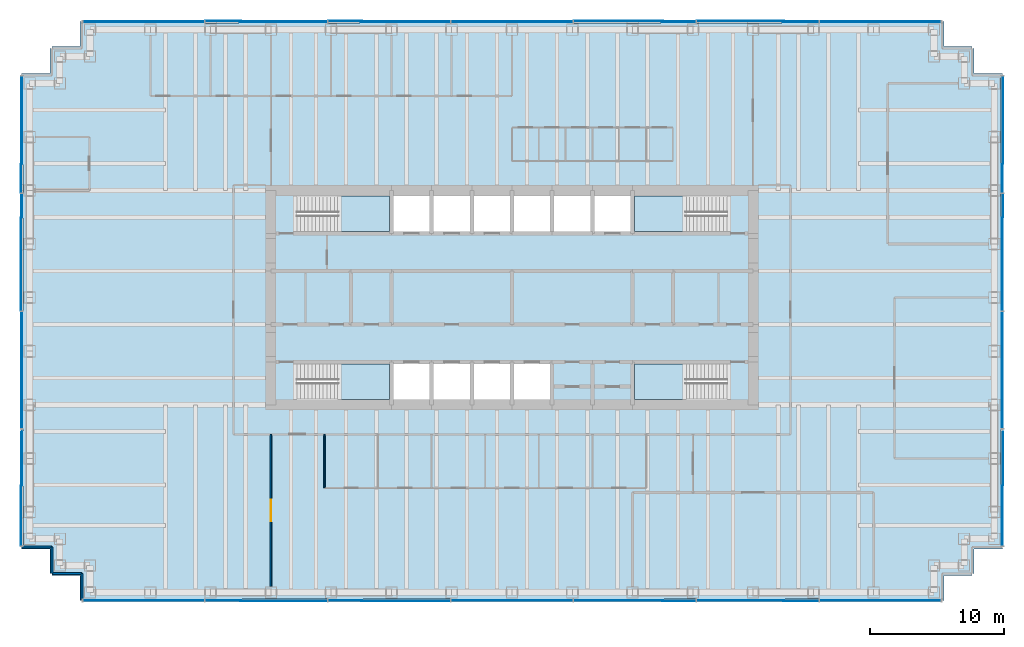
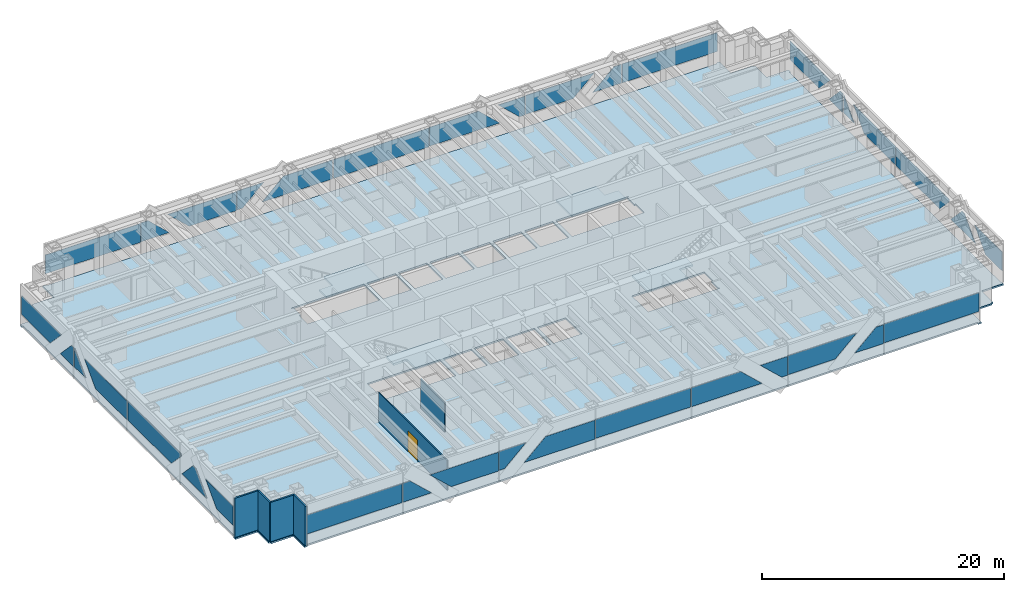
# One storey, part 7 of 12: 36 plates, 6 walls, 5 slabs, 1 door, 1 opening, 8 elements without a shape of their own.
"""IFC4 building model written with IfcOpenShell, lengths in metres."""

from ifc_helpers import new_model, si_unit, direction, frame, frame_2d, origin, origin_2d, place, context, subcontext, project, spatial, polyline, rectangle, outline, extrude, material, layer, layer_set, type_object, element, fill, aggregate, save


model = new_model("IFC4")

# Units and contexts
model_context = context("Model", 3, precision=1e-05, world=origin(), true_north=direction((0.0, 1.0)))
body_context = subcontext(model_context, "Body", "Model", "MODEL_VIEW")
ifc_project = project(units=[si_unit("LENGTHUNIT", "METRE"), si_unit("AREAUNIT", "SQUARE_METRE"), si_unit("VOLUMEUNIT", "CUBIC_METRE"), si_unit("PLANEANGLEUNIT", "RADIAN"), si_unit("MASSUNIT", "GRAM", prefix="KILO")], contexts=[model_context])

# Site, building, storey
site_placement = place(None, origin())
site = spatial("IfcSite", under=ifc_project, at=site_placement, CompositionType="ELEMENT")
building_placement = place(site_placement, origin())
building = spatial("IfcBuilding", under=site, at=building_placement, Name="Rheinbord Bourse Tower", CompositionType="ELEMENT")
storey_placement = place(building_placement, frame((0.0, 0.0, 261.39990234375)))
storey = spatial("IfcBuildingStorey", under=building, at=storey_placement, Name="L59", CompositionType="ELEMENT", Elevation=261.39990234375)

# Slab
ifc_material_1 = material(Name="Concrete C30/37", Category="concrete")
ifc_layer_1 = layer(ifc_material_1, 0.159912109375)
ifc_layer_set_1 = layer_set([ifc_layer_1], Name="COMPOSITE FLOOR SLAB 160")
slab_type_1 = type_object("IfcSlabType", Name="COMPOSITE FLOOR SLAB 160", PredefinedType="FLOOR", material=ifc_layer_set_1)
slab_1_placement = place(storey_placement, frame((0.0, 0.0, -0.159912109375)))
element("IfcSlab", 1, at=slab_1_placement, inside=storey, type_object=slab_type_1, Name="Floor slab L59", PredefinedType="FLOOR", context=body_context, shape_type="SweptSolid", body=[
    extrude(outline(polyline([(1.64990234375, 3.39990234375), (1.5, 3.39990234375), (1.5, 5.25), (-0.60009765625, 5.25), (-0.60009765625, 5.550048828125), (-0.5, 5.550048828125), (-0.5, 40.449951171875), (-0.60009765625, 40.449951171875), (-0.60009765625, 40.75), (1.5, 40.75), (1.5, 42.60009765625), (1.64990234375, 42.60009765625), (1.64990234375, 42.75), (3.75, 42.75), (3.75, 44.60009765625), (4.050048828125, 44.60009765625), (4.050048828125, 44.5), (67.949951171875, 44.5), (67.949951171875, 44.60009765625), (68.25, 44.60009765625), (68.25, 42.75), (70.35009765625, 42.75), (70.35009765625, 42.60009765625), (70.5, 42.60009765625), (70.5, 40.75), (72.60009765625, 40.75), (72.60009765625, 40.449951171875), (72.5, 40.449951171875), (72.5, 5.550048828125), (72.60009765625, 5.550048828125), (72.60009765625, 5.25), (70.5, 5.25), (70.5, 3.39990234375), (70.35009765625, 3.39990234375), (70.35009765625, 3.25), (68.25, 3.25), (68.25, 1.39990234375), (67.949951171875, 1.39990234375), (67.949951171875, 1.5), (4.050048828125, 1.5), (4.050048828125, 1.39990234375), (3.75, 1.39990234375), (3.75, 3.25), (1.64990234375, 3.25), (1.64990234375, 3.39990234375)]), holes=[polyline([(19.949951171875, 19.050048828125), (26.85009765625, 19.050048828125), (26.85009765625, 16.39990234375), (19.949951171875, 16.39990234375), (19.949951171875, 16.449951171875), (20.10009765625, 16.449951171875), (20.10009765625, 17.64990234375), (19.949951171875, 17.64990234375), (19.949951171875, 19.050048828125)]), polyline([(19.949951171875, 31.60009765625), (26.85009765625, 31.60009765625), (26.85009765625, 28.949951171875), (19.949951171875, 28.949951171875), (19.949951171875, 30.35009765625), (20.10009765625, 30.35009765625), (20.10009765625, 31.550048828125), (19.949951171875, 31.550048828125), (19.949951171875, 31.60009765625)]), polyline([(52.050048828125, 16.39990234375), (45.14990234375, 16.39990234375), (45.14990234375, 19.050048828125), (52.050048828125, 19.050048828125), (52.050048828125, 17.64990234375), (51.89990234375, 17.64990234375), (51.89990234375, 16.449951171875), (52.050048828125, 16.449951171875), (52.050048828125, 16.39990234375)]), polyline([(52.050048828125, 28.949951171875), (45.14990234375, 28.949951171875), (45.14990234375, 31.60009765625), (52.050048828125, 31.60009765625), (52.050048828125, 31.550048828125), (51.89990234375, 31.550048828125), (51.89990234375, 30.35009765625), (52.050048828125, 30.35009765625), (52.050048828125, 28.949951171875)]), polyline([(27.14990234375, 16.39990234375), (27.14990234375, 19.050048828125), (29.85009765625, 19.050048828125), (29.85009765625, 16.39990234375), (27.14990234375, 16.39990234375)]), polyline([(27.14990234375, 28.949951171875), (27.14990234375, 31.60009765625), (29.85009765625, 31.60009765625), (29.85009765625, 28.949951171875), (27.14990234375, 28.949951171875)]), polyline([(30.14990234375, 16.39990234375), (30.14990234375, 19.050048828125), (32.85009765625, 19.050048828125), (32.85009765625, 16.39990234375), (30.14990234375, 16.39990234375)]), polyline([(30.14990234375, 28.949951171875), (30.14990234375, 31.60009765625), (32.85009765625, 31.60009765625), (32.85009765625, 28.949951171875), (30.14990234375, 28.949951171875)]), polyline([(33.14990234375, 16.39990234375), (33.14990234375, 19.050048828125), (35.85009765625, 19.050048828125), (35.85009765625, 16.39990234375), (33.14990234375, 16.39990234375)]), polyline([(33.14990234375, 28.949951171875), (33.14990234375, 31.60009765625), (35.85009765625, 31.60009765625), (35.85009765625, 28.949951171875), (33.14990234375, 28.949951171875)]), polyline([(36.14990234375, 16.39990234375), (36.14990234375, 19.050048828125), (38.85009765625, 19.050048828125), (38.85009765625, 16.39990234375), (36.14990234375, 16.39990234375)]), polyline([(36.14990234375, 28.949951171875), (36.14990234375, 31.60009765625), (38.85009765625, 31.60009765625), (38.85009765625, 28.949951171875), (36.14990234375, 28.949951171875)]), polyline([(39.14990234375, 28.949951171875), (39.14990234375, 31.60009765625), (41.85009765625, 31.60009765625), (41.85009765625, 28.949951171875), (39.14990234375, 28.949951171875)]), polyline([(42.14990234375, 28.949951171875), (42.14990234375, 31.60009765625), (44.85009765625, 31.60009765625), (44.85009765625, 28.949951171875), (42.14990234375, 28.949951171875)])]), origin(), (0.0, 0.0, 1.0), 0.159912109375),
])

# Curtain wall, plates
ifc_material_2 = material(Name="Dark glass and black aluminium", Category="aluminium")
curtain_wall_type = type_object("IfcCurtainWallType", Name="CW5 DARK GLASS CURTAIN WALL", PredefinedType="USERDEFINED", material=ifc_material_2)
curtain_wall_1_placement = place(storey_placement, origin())
curtain_wall_1 = element("IfcCurtainWall", 2, at=curtain_wall_1_placement, inside=storey, type_object=curtain_wall_type, Name="Curtain wall CW5 S L59", ObjectType="UNITISED CURTAIN WALL", PredefinedType="USERDEFINED")
ifc_material_3 = material(Name="Dark tinted triple insulating glass", Category="glass")
ifc_layer_2 = layer(ifc_material_3, 0.050048828125)
ifc_layer_set_2 = layer_set([ifc_layer_2], Name="CW5 DARK GLASS PANEL")
plate_type = type_object("IfcPlateType", Name="CW5 DARK GLASS PANEL", PredefinedType="CURTAIN_PANEL", material=ifc_layer_set_2)
plate_1_placement = place(storey_placement, frame((8.505615234375, 1.39990234375, 1.150146484375), z_axis=(0.0, 0.0, 1.0), x_axis=(1.0, 0.0, 0.0)))
plate_1 = element("IfcPlate", 3, at=plate_1_placement, type_object=plate_type, Name="CW5 panel 1.1", PredefinedType="CURTAIN_PANEL", context=body_context, shape_type="SweptSolid", body=[
    extrude(rectangle(XDim=9.051513671875, YDim=0.050048828125, at=origin_2d()), origin(), (0.0, 0.0, 1.0), 1.89990234375),
])
plate_2_placement = place(storey_placement, frame((36.0, 1.39990234375, 1.150146484375), z_axis=(0.0, 0.0, 1.0), x_axis=(1.0, 0.0, 0.0)))
plate_2 = element("IfcPlate", 4, at=plate_2_placement, type_object=plate_type, Name="CW5 panel 4.1", PredefinedType="CURTAIN_PANEL", context=body_context, shape_type="SweptSolid", body=[
    extrude(rectangle(XDim=9.09130859375, YDim=0.050048828125, at=origin_2d()), origin(), (0.0, 0.0, 1.0), 1.89990234375),
])
plate_3_placement = place(storey_placement, frame((63.494384765625, 1.39990234375, 1.150146484375), z_axis=(0.0, 0.0, 1.0), x_axis=(1.0, 0.0, 0.0)))
plate_3 = element("IfcPlate", 5, at=plate_3_placement, type_object=plate_type, Name="CW5 panel 7.1", PredefinedType="CURTAIN_PANEL", context=body_context, shape_type="SweptSolid", body=[
    extrude(rectangle(XDim=9.051513671875, YDim=0.050048828125, at=origin_2d()), origin(), (0.0, 0.0, 1.0), 1.89990234375),
])
plate_4_placement = place(storey_placement, frame((13.111083984375, 1.375, 1.150146484375), z_axis=(0.0, 1.0, 0.0), x_axis=(0.0, 0.0, 1.0)))
plate_4 = element("IfcPlate", 6, at=plate_4_placement, type_object=plate_type, Name="CW5 glass facet 1", PredefinedType="CURTAIN_PANEL", context=body_context, shape_type="SweptSolid", body=[
    extrude(outline(polyline([(0.0, 0.0), (1.89990234375, 0.0), (1.89990234375, 0.698974609375), (0.0, 2.73388671875), (0.0, 0.0)])), origin(), (0.0, 0.0, 1.0), 0.050048828125),
])
plate_5_placement = place(storey_placement, frame((22.202880859375, 1.31982421875, 3.050048828125), z_axis=(0.0, 1.0, 0.0), x_axis=(0.0, 0.0, -1.0)))
plate_5 = element("IfcPlate", 7, at=plate_5_placement, type_object=plate_type, Name="CW5 glass facet 2", PredefinedType="CURTAIN_PANEL", context=body_context, shape_type="SweptSolid", body=[
    extrude(outline(polyline([(0.0, 0.0), (1.89990234375, 0.0), (1.89990234375, 4.512939453125), (0.0, 6.5478515625), (0.0, 0.0)])), origin(), (0.0, 0.0, 1.0), 0.050048828125),
])
plate_6_placement = place(storey_placement, frame((22.282958984375, 1.375, 1.150146484375), z_axis=(0.0, 1.0, 0.0), x_axis=(0.0, 0.0, 1.0)))
plate_6 = element("IfcPlate", 8, at=plate_6_placement, type_object=plate_type, Name="CW5 glass facet 1", PredefinedType="CURTAIN_PANEL", context=body_context, shape_type="SweptSolid", body=[
    extrude(outline(polyline([(0.0, 0.0), (1.89990234375, 0.0), (1.89990234375, 2.56201171875), (0.0, 0.527099609375), (0.0, 0.0)])), origin(), (0.0, 0.0, 1.0), 0.050048828125),
])
plate_7_placement = place(storey_placement, frame((31.3740234375, 1.31982421875, 3.050048828125), z_axis=(0.0, 1.0, 0.0), x_axis=(0.0, 0.0, -1.0)))
plate_7 = element("IfcPlate", 9, at=plate_7_placement, type_object=plate_type, Name="CW5 glass facet 2", PredefinedType="CURTAIN_PANEL", context=body_context, shape_type="SweptSolid", body=[
    extrude(outline(polyline([(0.0, 0.0), (1.89990234375, 0.0), (1.89990234375, 6.718994140625), (0.0, 4.68408203125), (0.0, 0.0)])), origin(), (0.0, 0.0, 1.0), 0.050048828125),
])
plate_8_placement = place(storey_placement, frame((40.6259765625, 1.375, 1.150146484375), z_axis=(0.0, 1.0, 0.0), x_axis=(0.0, 0.0, 1.0)))
plate_8 = element("IfcPlate", 10, at=plate_8_placement, type_object=plate_type, Name="CW5 glass facet 1", PredefinedType="CURTAIN_PANEL", context=body_context, shape_type="SweptSolid", body=[
    extrude(outline(polyline([(0.0, 0.0), (1.89990234375, 0.0), (1.89990234375, 4.68408203125), (0.0, 6.718994140625), (0.0, 0.0)])), origin(), (0.0, 0.0, 1.0), 0.050048828125),
])
plate_9_placement = place(storey_placement, frame((49.717041015625, 1.31982421875, 3.050048828125), z_axis=(0.0, 1.0, 0.0), x_axis=(0.0, 0.0, -1.0)))
plate_9 = element("IfcPlate", 11, at=plate_9_placement, type_object=plate_type, Name="CW5 glass facet 2", PredefinedType="CURTAIN_PANEL", context=body_context, shape_type="SweptSolid", body=[
    extrude(outline(polyline([(0.0, 0.0), (1.89990234375, 0.0), (1.89990234375, 0.527099609375), (0.0, 2.56201171875), (0.0, 0.0)])), origin(), (0.0, 0.0, 1.0), 0.050048828125),
])
plate_10_placement = place(storey_placement, frame((49.797119140625, 1.375, 1.150146484375), z_axis=(0.0, 1.0, 0.0), x_axis=(0.0, 0.0, 1.0)))
plate_10 = element("IfcPlate", 12, at=plate_10_placement, type_object=plate_type, Name="CW5 glass facet 1", PredefinedType="CURTAIN_PANEL", context=body_context, shape_type="SweptSolid", body=[
    extrude(outline(polyline([(0.0, 0.0), (1.89990234375, 0.0), (1.89990234375, 6.5478515625), (0.0, 4.512939453125), (0.0, 0.0)])), origin(), (0.0, 0.0, 1.0), 0.050048828125),
])
plate_11_placement = place(storey_placement, frame((58.888916015625, 1.31982421875, 3.050048828125), z_axis=(0.0, 1.0, 0.0), x_axis=(0.0, 0.0, -1.0)))
plate_11 = element("IfcPlate", 13, at=plate_11_placement, type_object=plate_type, Name="CW5 glass facet 2", PredefinedType="CURTAIN_PANEL", context=body_context, shape_type="SweptSolid", body=[
    extrude(outline(polyline([(0.0, 0.0), (1.89990234375, 0.0), (1.89990234375, 2.73388671875), (0.0, 0.698974609375), (0.0, 0.0)])), origin(), (0.0, 0.0, 1.0), 0.050048828125),
])
aggregate(curtain_wall_1, [plate_1, plate_2, plate_3, plate_4, plate_5, plate_6, plate_7, plate_8, plate_9, plate_10, plate_11])

curtain_wall_2_placement = place(storey_placement, origin())
curtain_wall_2 = element("IfcCurtainWall", 14, at=curtain_wall_2_placement, inside=storey, type_object=curtain_wall_type, Name="Curtain wall CW5 E L59", ObjectType="UNITISED CURTAIN WALL", PredefinedType="USERDEFINED")
plate_12_placement = place(storey_placement, frame((72.625, 5.47998046875, 1.150146484375), z_axis=(-1.0, 0.0, 0.0), x_axis=(0.0, 0.0, 1.0)))
plate_12 = element("IfcPlate", 15, at=plate_12_placement, type_object=plate_type, Name="CW5 glass facet 1", PredefinedType="CURTAIN_PANEL", context=body_context, shape_type="SweptSolid", body=[
    extrude(outline(polyline([(0.0, 0.0), (1.89990234375, 0.0), (1.89990234375, 4.554931640625), (0.0, 2.74609375), (0.0, 0.0)])), origin(), (0.0, 0.0, 1.0), 0.050048828125),
])
plate_13_placement = place(storey_placement, frame((72.68017578125, 9.965087890625, 1.150146484375), z_axis=(-1.0, 0.0, 0.0), x_axis=(0.0, 0.689536643289, 0.724250797419)))
plate_13 = element("IfcPlate", 16, at=plate_13_placement, type_object=plate_type, Name="CW5 glass facet 2", PredefinedType="CURTAIN_PANEL", context=body_context, shape_type="SweptSolid", body=[
    extrude(outline(polyline([(0.0, 0.0), (2.623291015625, 0.0), (2.93505859375, 0.327392578125), (2.806396484375, 2.947509765625), (0.0, 0.0)])), origin(), (0.0, 0.0, 1.0), 0.050048828125),
])
plate_14_placement = place(storey_placement, frame((72.625, 14.239990234375, 3.050048828125), z_axis=(-1.0, 0.0, 0.0), x_axis=(0.0, 1.0, 0.0)))
plate_14 = element("IfcPlate", 17, at=plate_14_placement, type_object=plate_type, Name="CW5 glass facet 1", PredefinedType="CURTAIN_PANEL", context=body_context, shape_type="SweptSolid", body=[
    extrude(outline(polyline([(0.0, 0.0), (8.719970703125, 0.0), (8.719970703125, 1.89990234375), (1.533935546875, 1.89990234375), (0.0, 0.2890625), (0.0, 0.0)])), origin(), (0.0, 0.0, 1.0), 0.050048828125),
])
plate_15_placement = place(storey_placement, frame((72.625, 23.0400390625, 1.150146484375), z_axis=(-1.0, 0.0, 0.0), x_axis=(0.0, 0.0, 1.0)))
plate_15 = element("IfcPlate", 18, at=plate_15_placement, type_object=plate_type, Name="CW5 glass facet 1", PredefinedType="CURTAIN_PANEL", context=body_context, shape_type="SweptSolid", body=[
    extrude(outline(polyline([(0.0, 0.0), (1.89990234375, 0.0), (1.89990234375, 6.994873046875), (0.0, 5.18603515625), (0.0, 0.0)])), origin(), (0.0, 0.0, 1.0), 0.050048828125),
])
plate_16_placement = place(storey_placement, frame((72.68017578125, 31.760009765625, 1.150146484375), z_axis=(-1.0, 0.0, 0.0), x_axis=(0.0, -1.0, 0.0)))
plate_16 = element("IfcPlate", 19, at=plate_16_placement, type_object=plate_type, Name="CW5 glass facet 2", PredefinedType="CURTAIN_PANEL", context=body_context, shape_type="SweptSolid", body=[
    extrude(outline(polyline([(0.0, 0.0), (1.794921875, 0.0), (0.0, 1.885009765625), (0.0, 0.0)])), origin(), (0.0, 0.0, 1.0), 0.050048828125),
])
plate_17_placement = place(storey_placement, frame((72.625, 31.840087890625, 1.150146484375), z_axis=(-1.0, 0.0, 0.0), x_axis=(0.0, 0.0, 1.0)))
plate_17 = element("IfcPlate", 20, at=plate_17_placement, type_object=plate_type, Name="CW5 glass facet 1", PredefinedType="CURTAIN_PANEL", context=body_context, shape_type="SweptSolid", body=[
    extrude(outline(polyline([(0.0, 0.0), (1.89990234375, 0.0), (1.89990234375, 0.385986328125), (0.0, 2.19482421875), (0.0, 0.0)])), origin(), (0.0, 0.0, 1.0), 0.050048828125),
])
plate_18_placement = place(storey_placement, frame((72.68017578125, 40.52001953125, 3.050048828125), z_axis=(-1.0, 0.0, 0.0), x_axis=(0.0, 0.0, -1.0)))
plate_18 = element("IfcPlate", 21, at=plate_18_placement, type_object=plate_type, Name="CW5 glass facet 2", PredefinedType="CURTAIN_PANEL", context=body_context, shape_type="SweptSolid", body=[
    extrude(outline(polyline([(0.0, 0.0), (1.89990234375, 0.0), (1.89990234375, 4.74609375), (0.0, 6.554931640625), (0.0, 0.0)])), origin(), (0.0, 0.0, 1.0), 0.050048828125),
])
aggregate(curtain_wall_2, [plate_12, plate_13, plate_14, plate_15, plate_16, plate_17, plate_18])

curtain_wall_3_placement = place(storey_placement, origin())
curtain_wall_3 = element("IfcCurtainWall", 22, at=curtain_wall_3_placement, inside=storey, type_object=curtain_wall_type, Name="Curtain wall CW5 N L59", ObjectType="UNITISED CURTAIN WALL", PredefinedType="USERDEFINED")
plate_19_placement = place(storey_placement, frame((63.494384765625, 44.60009765625, 1.150146484375), z_axis=(0.0, 0.0, 1.0), x_axis=(-1.0, 0.0, 0.0)))
plate_19 = element("IfcPlate", 23, at=plate_19_placement, type_object=plate_type, Name="CW5 panel 1.1", PredefinedType="CURTAIN_PANEL", context=body_context, shape_type="SweptSolid", body=[
    extrude(rectangle(XDim=9.051513671875, YDim=0.050048828125, at=origin_2d()), origin(), (0.0, 0.0, 1.0), 1.89990234375),
])
plate_20_placement = place(storey_placement, frame((36.0, 44.60009765625, 1.150146484375), z_axis=(0.0, 0.0, 1.0), x_axis=(-1.0, 0.0, 0.0)))
plate_20 = element("IfcPlate", 24, at=plate_20_placement, type_object=plate_type, Name="CW5 panel 4.1", PredefinedType="CURTAIN_PANEL", context=body_context, shape_type="SweptSolid", body=[
    extrude(rectangle(XDim=9.09130859375, YDim=0.050048828125, at=origin_2d()), origin(), (0.0, 0.0, 1.0), 1.89990234375),
])
plate_21_placement = place(storey_placement, frame((8.505615234375, 44.60009765625, 1.150146484375), z_axis=(0.0, 0.0, 1.0), x_axis=(-1.0, 0.0, 0.0)))
plate_21 = element("IfcPlate", 25, at=plate_21_placement, type_object=plate_type, Name="CW5 panel 7.1", PredefinedType="CURTAIN_PANEL", context=body_context, shape_type="SweptSolid", body=[
    extrude(rectangle(XDim=9.051513671875, YDim=0.050048828125, at=origin_2d()), origin(), (0.0, 0.0, 1.0), 1.89990234375),
])
plate_22_placement = place(storey_placement, frame((58.888916015625, 44.625, 1.150146484375), z_axis=(0.0, -1.0, 0.0), x_axis=(0.0, 0.0, 1.0)))
plate_22 = element("IfcPlate", 26, at=plate_22_placement, type_object=plate_type, Name="CW5 glass facet 1", PredefinedType="CURTAIN_PANEL", context=body_context, shape_type="SweptSolid", body=[
    extrude(outline(polyline([(0.0, 0.0), (1.89990234375, 0.0), (1.89990234375, 0.698974609375), (0.0, 2.73388671875), (0.0, 0.0)])), origin(), (0.0, 0.0, 1.0), 0.050048828125),
])
plate_23_placement = place(storey_placement, frame((49.797119140625, 44.68017578125, 3.050048828125), z_axis=(0.0, -1.0, 0.0), x_axis=(0.0, 0.0, -1.0)))
plate_23 = element("IfcPlate", 27, at=plate_23_placement, type_object=plate_type, Name="CW5 glass facet 2", PredefinedType="CURTAIN_PANEL", context=body_context, shape_type="SweptSolid", body=[
    extrude(outline(polyline([(0.0, 0.0), (1.89990234375, 0.0), (1.89990234375, 4.512939453125), (0.0, 6.5478515625), (0.0, 0.0)])), origin(), (0.0, 0.0, 1.0), 0.050048828125),
])
plate_24_placement = place(storey_placement, frame((49.717041015625, 44.625, 1.150146484375), z_axis=(0.0, -1.0, 0.0), x_axis=(0.0, 0.0, 1.0)))
plate_24 = element("IfcPlate", 28, at=plate_24_placement, type_object=plate_type, Name="CW5 glass facet 1", PredefinedType="CURTAIN_PANEL", context=body_context, shape_type="SweptSolid", body=[
    extrude(outline(polyline([(0.0, 0.0), (1.89990234375, 0.0), (1.89990234375, 2.56201171875), (0.0, 0.527099609375), (0.0, 0.0)])), origin(), (0.0, 0.0, 1.0), 0.050048828125),
])
plate_25_placement = place(storey_placement, frame((40.6259765625, 44.68017578125, 3.050048828125), z_axis=(0.0, -1.0, 0.0), x_axis=(0.0, 0.0, -1.0)))
plate_25 = element("IfcPlate", 29, at=plate_25_placement, type_object=plate_type, Name="CW5 glass facet 2", PredefinedType="CURTAIN_PANEL", context=body_context, shape_type="SweptSolid", body=[
    extrude(outline(polyline([(0.0, 0.0), (1.89990234375, 0.0), (1.89990234375, 6.718994140625), (0.0, 4.68408203125), (0.0, 0.0)])), origin(), (0.0, 0.0, 1.0), 0.050048828125),
])
plate_26_placement = place(storey_placement, frame((31.3740234375, 44.625, 1.150146484375), z_axis=(0.0, -1.0, 0.0), x_axis=(0.0, 0.0, 1.0)))
plate_26 = element("IfcPlate", 30, at=plate_26_placement, type_object=plate_type, Name="CW5 glass facet 1", PredefinedType="CURTAIN_PANEL", context=body_context, shape_type="SweptSolid", body=[
    extrude(outline(polyline([(0.0, 0.0), (1.89990234375, 0.0), (1.89990234375, 4.68408203125), (0.0, 6.718994140625), (0.0, 0.0)])), origin(), (0.0, 0.0, 1.0), 0.050048828125),
])
plate_27_placement = place(storey_placement, frame((22.282958984375, 44.68017578125, 3.050048828125), z_axis=(0.0, -1.0, 0.0), x_axis=(0.0, 0.0, -1.0)))
plate_27 = element("IfcPlate", 31, at=plate_27_placement, type_object=plate_type, Name="CW5 glass facet 2", PredefinedType="CURTAIN_PANEL", context=body_context, shape_type="SweptSolid", body=[
    extrude(outline(polyline([(0.0, 0.0), (1.89990234375, 0.0), (1.89990234375, 0.527099609375), (0.0, 2.56201171875), (0.0, 0.0)])), origin(), (0.0, 0.0, 1.0), 0.050048828125),
])
plate_28_placement = place(storey_placement, frame((22.202880859375, 44.625, 1.150146484375), z_axis=(0.0, -1.0, 0.0), x_axis=(0.0, 0.0, 1.0)))
plate_28 = element("IfcPlate", 32, at=plate_28_placement, type_object=plate_type, Name="CW5 glass facet 1", PredefinedType="CURTAIN_PANEL", context=body_context, shape_type="SweptSolid", body=[
    extrude(outline(polyline([(0.0, 0.0), (1.89990234375, 0.0), (1.89990234375, 6.5478515625), (0.0, 4.512939453125), (0.0, 0.0)])), origin(), (0.0, 0.0, 1.0), 0.050048828125),
])
plate_29_placement = place(storey_placement, frame((13.111083984375, 44.68017578125, 3.050048828125), z_axis=(0.0, -1.0, 0.0), x_axis=(0.0, 0.0, -1.0)))
plate_29 = element("IfcPlate", 33, at=plate_29_placement, type_object=plate_type, Name="CW5 glass facet 2", PredefinedType="CURTAIN_PANEL", context=body_context, shape_type="SweptSolid", body=[
    extrude(outline(polyline([(0.0, 0.0), (1.89990234375, 0.0), (1.89990234375, 2.73388671875), (0.0, 0.698974609375), (0.0, 0.0)])), origin(), (0.0, 0.0, 1.0), 0.050048828125),
])
aggregate(curtain_wall_3, [plate_19, plate_20, plate_21, plate_22, plate_23, plate_24, plate_25, plate_26, plate_27, plate_28, plate_29])

curtain_wall_4_placement = place(storey_placement, origin())
curtain_wall_4 = element("IfcCurtainWall", 34, at=curtain_wall_4_placement, inside=storey, type_object=curtain_wall_type, Name="Curtain wall CW5 W L59", ObjectType="UNITISED CURTAIN WALL", PredefinedType="USERDEFINED")
plate_30_placement = place(storey_placement, frame((-0.625, 40.52001953125, 1.150146484375), z_axis=(1.0, 0.0, 0.0), x_axis=(0.0, 0.0, 1.0)))
plate_30 = element("IfcPlate", 35, at=plate_30_placement, type_object=plate_type, Name="CW5 glass facet 1", PredefinedType="CURTAIN_PANEL", context=body_context, shape_type="SweptSolid", body=[
    extrude(outline(polyline([(0.0, 0.0), (1.89990234375, 0.0), (1.89990234375, 6.554931640625), (0.0, 4.74609375), (0.0, 0.0)])), origin(), (0.0, 0.0, 1.0), 0.050048828125),
])
plate_31_placement = place(storey_placement, frame((-0.68017578125, 31.840087890625, 3.050048828125), z_axis=(1.0, 0.0, 0.0), x_axis=(0.0, 0.0, -1.0)))
plate_31 = element("IfcPlate", 36, at=plate_31_placement, type_object=plate_type, Name="CW5 glass facet 2", PredefinedType="CURTAIN_PANEL", context=body_context, shape_type="SweptSolid", body=[
    extrude(outline(polyline([(0.0, 0.0), (1.89990234375, 0.0), (1.89990234375, 2.19482421875), (0.0, 0.385986328125), (0.0, 0.0)])), origin(), (0.0, 0.0, 1.0), 0.050048828125),
])
plate_32_placement = place(storey_placement, frame((-0.625, 31.760009765625, 1.150146484375), z_axis=(1.0, 0.0, 0.0), x_axis=(0.0, 0.0, 1.0)))
plate_32 = element("IfcPlate", 37, at=plate_32_placement, type_object=plate_type, Name="CW5 glass facet 1", PredefinedType="CURTAIN_PANEL", context=body_context, shape_type="SweptSolid", body=[
    extrude(outline(polyline([(0.0, 0.0), (1.885009765625, 0.0), (0.0, 1.794921875), (0.0, 0.0)])), origin(), (0.0, 0.0, 1.0), 0.050048828125),
])
plate_33_placement = place(storey_placement, frame((-0.68017578125, 23.0400390625, 3.050048828125), z_axis=(1.0, 0.0, 0.0), x_axis=(0.0, 0.0, -1.0)))
plate_33 = element("IfcPlate", 38, at=plate_33_placement, type_object=plate_type, Name="CW5 glass facet 2", PredefinedType="CURTAIN_PANEL", context=body_context, shape_type="SweptSolid", body=[
    extrude(outline(polyline([(0.0, 0.0), (1.89990234375, 0.0), (1.89990234375, 5.18603515625), (0.0, 6.994873046875), (0.0, 0.0)])), origin(), (0.0, 0.0, 1.0), 0.050048828125),
])
plate_34_placement = place(storey_placement, frame((-0.625, 22.9599609375, 1.150146484375), z_axis=(1.0, 0.0, 0.0), x_axis=(0.0, 0.0, 1.0)))
plate_34 = element("IfcPlate", 39, at=plate_34_placement, type_object=plate_type, Name="CW5 glass facet 1", PredefinedType="CURTAIN_PANEL", context=body_context, shape_type="SweptSolid", body=[
    extrude(outline(polyline([(0.0, 0.0), (1.89990234375, 0.0), (1.89990234375, 8.719970703125), (1.61083984375, 8.719970703125), (0.0, 7.18603515625), (0.0, 0.0)])), origin(), (0.0, 0.0, 1.0), 0.050048828125),
])
plate_35_placement = place(storey_placement, frame((-0.625, 14.034912109375, 1.150146484375), z_axis=(1.0, 0.0, 0.0), x_axis=(0.0, -0.689536643289, 0.724250797419)))
plate_35 = element("IfcPlate", 40, at=plate_35_placement, type_object=plate_type, Name="CW5 glass facet 1", PredefinedType="CURTAIN_PANEL", context=body_context, shape_type="SweptSolid", body=[
    extrude(outline(polyline([(0.0, 0.0), (2.623291015625, 0.0), (2.93505859375, 0.327392578125), (2.806396484375, 2.947509765625), (0.0, 0.0)])), origin(), (0.0, 0.0, 1.0), 0.050048828125),
])
plate_36_placement = place(storey_placement, frame((-0.68017578125, 5.47998046875, 3.050048828125), z_axis=(1.0, 0.0, 0.0), x_axis=(0.0, 0.0, -1.0)))
plate_36 = element("IfcPlate", 41, at=plate_36_placement, type_object=plate_type, Name="CW5 glass facet 2", PredefinedType="CURTAIN_PANEL", context=body_context, shape_type="SweptSolid", body=[
    extrude(outline(polyline([(0.0, 0.0), (1.89990234375, 0.0), (1.89990234375, 2.74609375), (0.0, 4.554931640625), (0.0, 0.0)])), origin(), (0.0, 0.0, 1.0), 0.050048828125),
])
aggregate(curtain_wall_4, [plate_30, plate_31, plate_32, plate_33, plate_34, plate_35, plate_36])

# Stair, slab
ifc_material_4 = material(Name="Concrete C30/37", Category="concrete")
stair_type = type_object("IfcStairType", Name="CORE STAIR HALF TURN 4200", PredefinedType="HALF_TURN_STAIR", material=ifc_material_4)
stair_1_placement = place(storey_placement, origin())
stair_1 = element("IfcStair", 42, at=stair_1_placement, inside=storey, type_object=stair_type, Name="Stair ST1 L59, type CS6", PredefinedType="HALF_TURN_STAIR")
ifc_material_5 = material(Name="Concrete C30/37", Category="concrete")
ifc_layer_3 = layer(ifc_material_5, 0.199951171875)
ifc_layer_set_3 = layer_set([ifc_layer_3], Name="STAIR LANDING 200")
slab_type_2 = type_object("IfcSlabType", Name="STAIR LANDING 200", PredefinedType="LANDING", material=ifc_layer_set_3)
slab_2_placement = place(storey_placement, frame((0.0, 0.0, 1.900146484375)))
slab_2 = element("IfcSlab", 43, at=slab_2_placement, type_object=slab_type_2, Name="Half landing ST1 L59", PredefinedType="LANDING", context=body_context, shape_type="SweptSolid", body=[
    extrude(outline(polyline([(23.030029296875, 16.39990234375), (26.85009765625, 16.39990234375), (26.85009765625, 19.050048828125), (21.748046875, 19.050048828125), (21.748046875, 17.85009765625), (23.030029296875, 17.85009765625), (23.030029296875, 16.39990234375)])), origin(), (0.0, 0.0, 1.0), 0.199951171875),
])
aggregate(stair_1, [slab_2])

stair_2_placement = place(storey_placement, origin())
stair_2 = element("IfcStair", 44, at=stair_2_placement, inside=storey, type_object=stair_type, Name="Stair ST2 L59, type CS6", PredefinedType="HALF_TURN_STAIR")
slab_3_placement = place(storey_placement, frame((0.0, 0.0, 1.900146484375)))
slab_3 = element("IfcSlab", 45, at=slab_3_placement, type_object=slab_type_2, Name="Half landing ST2 L59", PredefinedType="LANDING", context=body_context, shape_type="SweptSolid", body=[
    extrude(outline(polyline([(21.748046875, 28.949951171875), (26.85009765625, 28.949951171875), (26.85009765625, 31.60009765625), (23.030029296875, 31.60009765625), (23.030029296875, 30.14990234375), (21.748046875, 30.14990234375), (21.748046875, 28.949951171875)])), origin(), (0.0, 0.0, 1.0), 0.199951171875),
])
aggregate(stair_2, [slab_3])

stair_3_placement = place(storey_placement, origin())
stair_3 = element("IfcStair", 46, at=stair_3_placement, inside=storey, type_object=stair_type, Name="Stair ST3 L59, type CS6", PredefinedType="HALF_TURN_STAIR")
slab_4_placement = place(storey_placement, frame((0.0, 0.0, 1.900146484375)))
slab_4 = element("IfcSlab", 47, at=slab_4_placement, type_object=slab_type_2, Name="Half landing ST3 L59", PredefinedType="LANDING", context=body_context, shape_type="SweptSolid", body=[
    extrude(outline(polyline([(45.14990234375, 16.39990234375), (48.969970703125, 16.39990234375), (48.969970703125, 17.85009765625), (50.251953125, 17.85009765625), (50.251953125, 19.050048828125), (45.14990234375, 19.050048828125), (45.14990234375, 16.39990234375)])), origin(), (0.0, 0.0, 1.0), 0.199951171875),
])
aggregate(stair_3, [slab_4])

stair_4_placement = place(storey_placement, origin())
stair_4 = element("IfcStair", 48, at=stair_4_placement, inside=storey, type_object=stair_type, Name="Stair ST4 L59, type CS6", PredefinedType="HALF_TURN_STAIR")
slab_5_placement = place(storey_placement, frame((0.0, 0.0, 1.900146484375)))
slab_5 = element("IfcSlab", 49, at=slab_5_placement, type_object=slab_type_2, Name="Half landing ST4 L59", PredefinedType="LANDING", context=body_context, shape_type="SweptSolid", body=[
    extrude(outline(polyline([(45.14990234375, 28.949951171875), (50.251953125, 28.949951171875), (50.251953125, 30.14990234375), (48.969970703125, 30.14990234375), (48.969970703125, 31.60009765625), (45.14990234375, 31.60009765625), (45.14990234375, 28.949951171875)])), origin(), (0.0, 0.0, 1.0), 0.199951171875),
])
aggregate(stair_4, [slab_5])

# Walls
ifc_material_6 = material(Name="Black metal rainscreen panel", Category="aluminium")
ifc_layer_4 = layer(ifc_material_6, 0.14990234375)
ifc_layer_set_4 = layer_set([ifc_layer_4], Name="CORNER PIER CLADDING 150")
wall_type_1 = type_object("IfcWallType", Name="CORNER PIER CLADDING 150", PredefinedType="ELEMENTEDWALL", material=ifc_layer_set_4)
wall_1_placement = place(storey_placement, frame((-0.60009765625, 5.39990234375, 0.0), z_axis=(0.0, 0.0, 1.0), x_axis=(1.0, 0.0, 0.0)))
element("IfcWall", 50, at=wall_1_placement, inside=storey, type_object=wall_type_1, Name="Corner pier cladding L59 17", PredefinedType="ELEMENTEDWALL", context=body_context, shape_type="SweptSolid", body=[
    extrude(rectangle(XDim=2.25, YDim=0.14990234375, at=frame_2d((1.125, 0.0))), origin(), (0.0, 0.0, 1.0), 3.9501953125),
])
wall_2_placement = place(storey_placement, frame((1.64990234375, 5.39990234375, 0.0), z_axis=(0.0, 0.0, 1.0), x_axis=(0.0, -1.0, 0.0)))
element("IfcWall", 51, at=wall_2_placement, inside=storey, type_object=wall_type_1, Name="Corner pier cladding L59 18", PredefinedType="ELEMENTEDWALL", context=body_context, shape_type="SweptSolid", body=[
    extrude(rectangle(XDim=2.0, YDim=0.14990234375, at=frame_2d((1.0, 0.0))), origin(), (0.0, 0.0, 1.0), 3.9501953125),
])
wall_3_placement = place(storey_placement, frame((1.64990234375, 3.39990234375, 0.0), z_axis=(0.0, 0.0, 1.0), x_axis=(1.0, 0.0, 0.0)))
element("IfcWall", 52, at=wall_3_placement, inside=storey, type_object=wall_type_1, Name="Corner pier cladding L59 19", PredefinedType="ELEMENTEDWALL", context=body_context, shape_type="SweptSolid", body=[
    extrude(rectangle(XDim=2.25, YDim=0.14990234375, at=frame_2d((1.125, 0.0))), origin(), (0.0, 0.0, 1.0), 3.9501953125),
])
wall_4_placement = place(storey_placement, frame((3.89990234375, 3.39990234375, 0.0), z_axis=(0.0, 0.0, 1.0), x_axis=(0.0, -1.0, 0.0)))
element("IfcWall", 53, at=wall_4_placement, inside=storey, type_object=wall_type_1, Name="Corner pier cladding L59 20", PredefinedType="ELEMENTEDWALL", context=body_context, shape_type="SweptSolid", body=[
    extrude(rectangle(XDim=2.0, YDim=0.14990234375, at=frame_2d((1.0, 0.0))), origin(), (0.0, 0.0, 1.0), 3.9501953125),
])

# Wall, opening, door
ifc_material_7 = material(Name="Toughened laminated glass partition", Category="glass")
ifc_layer_5 = layer(ifc_material_7, 0.10009765625)
ifc_layer_set_5 = layer_set([ifc_layer_5], Name="GLAZED PARTITION 100")
wall_type_2 = type_object("IfcWallType", Name="GLAZED PARTITION 100", PredefinedType="PARTITIONING", material=ifc_layer_set_5)
wall_5_placement = place(storey_placement, frame((18.0, 2.449951171875, 0.0), z_axis=(0.0, 0.0, 1.0), x_axis=(0.0, 1.0, 0.0)))
wall_5 = element("IfcWall", 54, at=wall_5_placement, inside=storey, type_object=wall_type_2, Name="Partition L59-19", PredefinedType="PARTITIONING", context=body_context, shape_type="SweptSolid", body=[
    extrude(rectangle(XDim=11.35009765625, YDim=0.10009765625, at=frame_2d((5.675048828125, 0.0))), origin(), (0.0, 0.0, 1.0), 3.0),
])
opening_placement = place(wall_5_placement, frame((4.875, 0.0, 0.0)))
opening = element("IfcOpeningElement", 55, at=opening_placement, cuts=wall_5, Name="Opening 59D23", PredefinedType="OPENING", context=body_context, shape_type="SweptSolid", body=[
    extrude(rectangle(XDim=1.60009765625, YDim=2.10009765625, at=frame_2d((0.800048828125, 1.050048828125))), frame((0.0, 0.06005859375, 0.0), z_axis=(0.0, -1.0, 0.0), x_axis=(1.0, 0.0, 0.0)), (0.0, 0.0, 1.0), 0.1201171875),
])
ifc_material_8 = material(Name="Timber door", Category="wood")
door_type = type_object("IfcDoorType", Name="DOUBLE ROOM DOOR 1600", OperationType="DOUBLE_DOOR_DOUBLE_SWING", PredefinedType="DOOR", material=ifc_material_8)
door_placement = place(opening_placement, origin())
door = element("IfcDoor", 56, at=door_placement, inside=storey, type_object=door_type, Name="Open area door L59", OperationType="SINGLE_SWING_LEFT", OverallHeight=2.10009765625, OverallWidth=1.60009765625, PredefinedType="DOOR", context=body_context, shape_type="SweptSolid", body=[
    extrude(rectangle(XDim=1.60009765625, YDim=2.10009765625, at=frame_2d((0.800048828125, 1.050048828125))), frame((0.0, 0.02490234375, 0.0), z_axis=(0.0, -1.0, 0.0), x_axis=(1.0, 0.0, 0.0)), (0.0, 0.0, 1.0), 0.050048828125),
])
fill(opening, door)

# Wall
wall_6_placement = place(storey_placement, frame((22.0, 9.800048828125, 0.0), z_axis=(0.0, 0.0, 1.0), x_axis=(0.0, 1.0, 0.0)))
element("IfcWall", 57, at=wall_6_placement, inside=storey, type_object=wall_type_2, Name="Partition L59-22", PredefinedType="PARTITIONING", context=body_context, shape_type="SweptSolid", body=[
    extrude(rectangle(XDim=4.0, YDim=0.10009765625, at=frame_2d((2.0, 0.0))), origin(), (0.0, 0.0, 1.0), 3.0),
])

save(model, "model.ifc")
